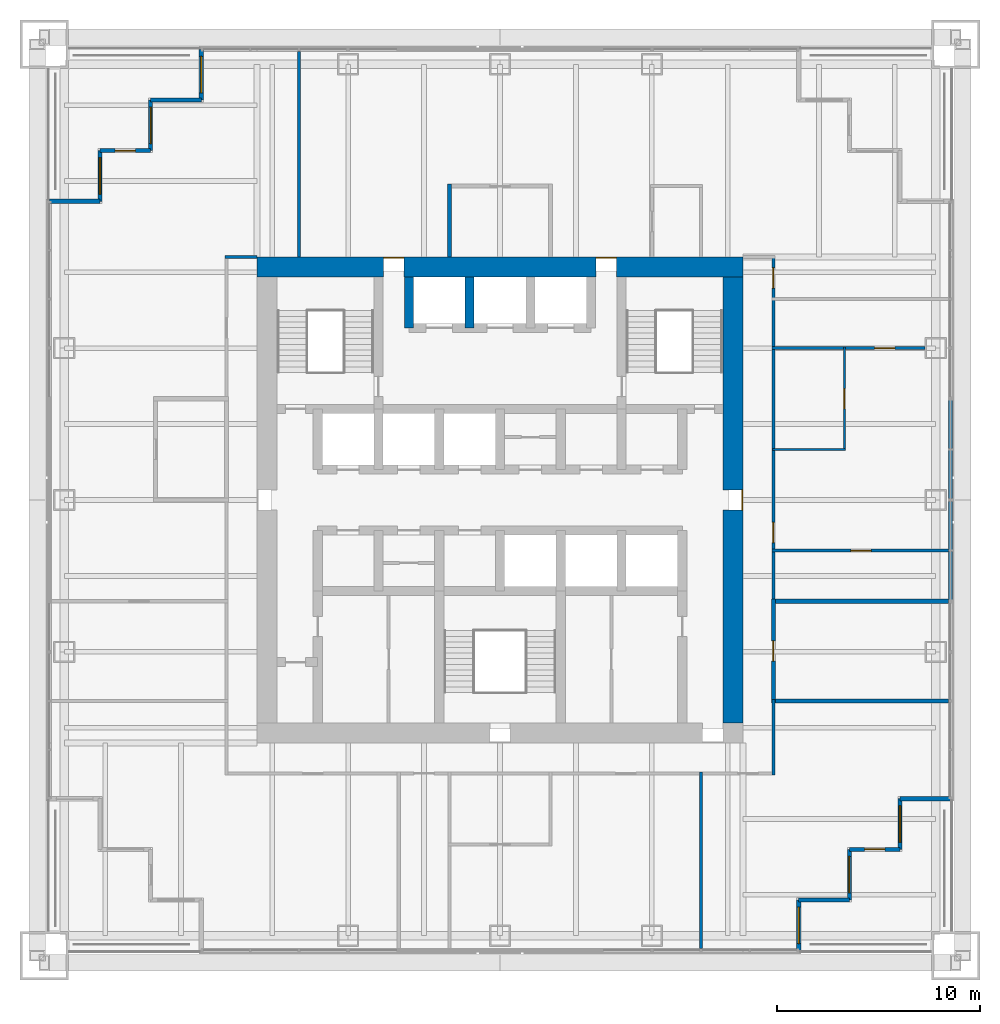
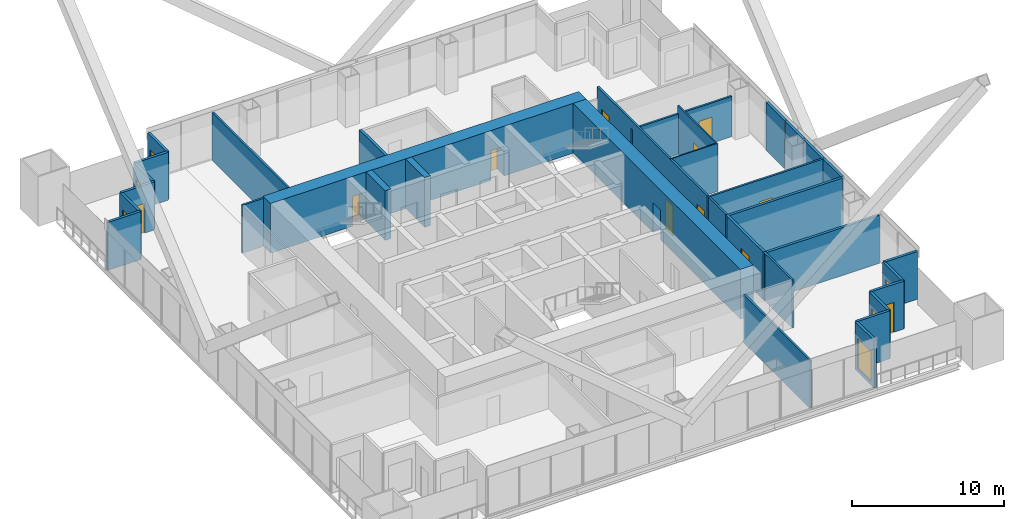
# One storey, part 16 of 19: 33 walls, 11 doors, 6 windows, 17 openings.
"""IFC4 building model written with IfcOpenShell, lengths in metres."""

from ifc_helpers import new_model, si_unit, direction, frame, frame_2d, origin, place, context, subcontext, project, spatial, rectangle, extrude, material, layer, layer_set, type_object, element, fill, save


model = new_model("IFC4")

# Units and contexts
model_context = context("Model", 3, precision=1e-05, world=origin(), true_north=direction((0.0, 1.0)))
body_context = subcontext(model_context, "Body", "Model", "MODEL_VIEW")
ifc_project = project(units=[si_unit("LENGTHUNIT", "METRE"), si_unit("AREAUNIT", "SQUARE_METRE"), si_unit("VOLUMEUNIT", "CUBIC_METRE"), si_unit("PLANEANGLEUNIT", "RADIAN"), si_unit("MASSUNIT", "GRAM", prefix="KILO")], contexts=[model_context])

# Site, building, storey
site_placement = place(None, origin())
site = spatial("IfcSite", under=ifc_project, at=site_placement, CompositionType="ELEMENT")
building_placement = place(site_placement, origin())
building = spatial("IfcBuilding", under=site, at=building_placement, Name="Tarangal Relay Tower", CompositionType="ELEMENT")
storey_placement = place(building_placement, frame((0.0, 0.0, 193.89990234375)))
storey = spatial("IfcBuildingStorey", under=building, at=storey_placement, Name="L40", CompositionType="ELEMENT", Elevation=193.89990234375)

# Walls
ifc_material_1 = material(Name="Two layers gypsum board each side on twin steel studs, mineral wool", Category="steel")
ifc_layer_1 = layer(ifc_material_1, 0.199951171875)
ifc_layer_set_1 = layer_set([ifc_layer_1], Name="Acoustic partition 200")
wall_type_1 = type_object("IfcWallType", Name="Acoustic partition 200", PredefinedType="PARTITIONING", material=ifc_layer_set_1)
for number, where, z_axis, x_axis, name in (
    (1, (13.39990234375, -9.9169921875, 0.0), (0.0, 0.0, 1.0), (1.0, 0.0, 0.0), "Partition PT2 L40"),
    (2, (13.39990234375, -5.0, 0.0), (0.0, 0.0, 1.0), (1.0, 0.0, 0.0), "Partition PT2 L40"),
):
    element("IfcWall", number, at=place(storey_placement, frame(where, z_axis=z_axis, x_axis=x_axis)), inside=storey, type_object=wall_type_1, Name=name, PredefinedType="PARTITIONING", context=body_context, shape_type="SweptSolid", body=[
        extrude(rectangle(XDim=8.75, YDim=0.199951171875, at=frame_2d((4.375, 0.0))), origin(), (0.0, 0.0, 1.0), 3.85009765625),
    ])
wall_1_placement = place(storey_placement, frame((-2.5, 12.0, 0.0), z_axis=(0.0, 0.0, 1.0), x_axis=(0.0, 1.0, 0.0)))
element("IfcWall", 3, at=wall_1_placement, inside=storey, type_object=wall_type_1, Name="Partition PT2 L40", PredefinedType="PARTITIONING", context=body_context, shape_type="SweptSolid", body=[
    extrude(rectangle(XDim=3.60009765625, YDim=0.199951171875, at=frame_2d((1.800048828125, 0.0))), origin(), (0.0, 0.0, 1.0), 3.85009765625),
])

# Wall, opening, door
wall_2_placement = place(storey_placement, frame((13.5, -10.01708984375, 0.0), z_axis=(0.0, 0.0, 1.0), x_axis=(0.0, 1.0, 0.0)))
wall_2 = element("IfcWall", 4, at=wall_2_placement, inside=storey, type_object=wall_type_1, Name="Partition PT2 L40", PredefinedType="PARTITIONING", context=body_context, shape_type="SweptSolid", body=[
    extrude(rectangle(XDim=5.1171875, YDim=0.199951171875, at=frame_2d((2.55859375, 0.0))), origin(), (0.0, 0.0, 1.0), 3.85009765625),
])
opening_1_placement = place(wall_2_placement, frame((2.05859375, 0.0, 0.0)))
opening_1 = element("IfcOpeningElement", 5, at=opening_1_placement, cuts=wall_2, Name="Opening SD1", PredefinedType="OPENING", context=body_context, shape_type="SweptSolid", body=[
    extrude(rectangle(XDim=1.0, YDim=2.39990234375, at=frame_2d((0.5, 1.199951171875))), frame((0.0, 0.10986328125, 0.0), z_axis=(0.0, -1.0, 0.0), x_axis=(1.0, 0.0, 0.0)), (0.0, 0.0, 1.0), 0.219970703125),
])
ifc_material_2 = material(Name="Steel door with hardwood frame", Category="steel")
door_type_1 = type_object("IfcDoorType", Name="Suite entrance door 1000 x 2400", OperationType="SINGLE_SWING_RIGHT", PredefinedType="DOOR", material=ifc_material_2)
door_1_placement = place(opening_1_placement, origin())
door_1 = element("IfcDoor", 6, at=door_1_placement, inside=storey, type_object=door_type_1, Name="Door SD1 to boardroom L40-08", OperationType="SINGLE_SWING_RIGHT", OverallHeight=2.39990234375, OverallWidth=1.0, PredefinedType="DOOR", context=body_context, shape_type="SweptSolid", body=[
    extrude(rectangle(XDim=1.0, YDim=2.39990234375, at=frame_2d((0.5, 1.199951171875))), frame((0.0, 0.02490234375, 0.0), z_axis=(0.0, -1.0, 0.0), x_axis=(1.0, 0.0, 0.0)), (0.0, 0.0, 1.0), 0.050048828125),
])
fill(opening_1, door_1)

# Walls
ifc_material_3 = material(Name="Concrete fc' 60 MPa", Category="concrete")
ifc_layer_2 = layer(ifc_material_3, 0.449951171875)
ifc_layer_set_2 = layer_set([ifc_layer_2], Name="Core inner wall 450")
wall_type_2 = type_object("IfcWallType", Name="Core inner wall 450", PredefinedType="SHEAR", material=ifc_layer_set_2)
for number, where, z_axis, x_axis, name in (
    (7, (-4.5, 8.5, 0.0), (0.0, 0.0, 1.0), (0.0, 1.0, 0.0), "Core wall XM45 L40"),
    (8, (-1.5, 8.5, 0.0), (0.0, 0.0, 1.0), (0.0, 1.0, 0.0), "Core wall XM15 L40"),
):
    element("IfcWall", number, at=place(storey_placement, frame(where, z_axis=z_axis, x_axis=x_axis)), inside=storey, type_object=wall_type_2, Name=name, PredefinedType="SHEAR", context=body_context, shape_type="SweptSolid", body=[
        extrude(rectangle(XDim=2.5, YDim=0.449951171875, at=frame_2d((1.25, 0.0))), origin(), (0.0, 0.0, 1.0), 4.0),
    ])

# Wall, openings, doors
ifc_layer_3 = layer(ifc_material_3, 1.0)
ifc_layer_set_3 = layer_set([ifc_layer_3], Name="Core wall 1000")
wall_type_3 = type_object("IfcWallType", Name="Core wall 1000", PredefinedType="SHEAR", material=ifc_layer_set_3)
wall_3_placement = place(storey_placement, frame((-12.0, 11.5, 0.0), z_axis=(0.0, 0.0, 1.0), x_axis=(1.0, 0.0, 0.0)))
wall_3 = element("IfcWall", 9, at=wall_3_placement, inside=storey, type_object=wall_type_3, Name="Core wall N L40", PredefinedType="SHEAR", context=body_context, shape_type="SweptSolid", body=[
    extrude(rectangle(XDim=24.0, YDim=1.0, at=frame_2d((12.0, 0.0))), origin(), (0.0, 0.0, 1.0), 4.0),
])
opening_2_placement = place(wall_3_placement, frame((6.25, 0.0, 0.0)))
opening_2 = element("IfcOpeningElement", 10, at=opening_2_placement, cuts=wall_3, Name="Opening FD3", PredefinedType="OPENING", context=body_context, shape_type="SweptSolid", body=[
    extrude(rectangle(XDim=1.0, YDim=2.39990234375, at=frame_2d((0.5, 1.199951171875))), frame((0.0, 0.510009765625, 0.0), z_axis=(0.0, -1.0, 0.0), x_axis=(1.0, 0.0, 0.0)), (0.0, 0.0, 1.0), 1.02001953125),
])
opening_3_placement = place(wall_3_placement, frame((16.75, 0.0, 0.0)))
opening_3 = element("IfcOpeningElement", 11, at=opening_3_placement, cuts=wall_3, Name="Opening FD3", PredefinedType="OPENING", context=body_context, shape_type="SweptSolid", body=[
    extrude(rectangle(XDim=1.0, YDim=2.39990234375, at=frame_2d((0.5, 1.199951171875))), frame((0.0, 0.510009765625, 0.0), z_axis=(0.0, -1.0, 0.0), x_axis=(1.0, 0.0, 0.0)), (0.0, 0.0, 1.0), 1.02001953125),
])
door_type_2 = type_object("IfcDoorType", Name="Fire door 1000 x 2400 core entry", OperationType="SINGLE_SWING_RIGHT", PredefinedType="DOOR", material=ifc_material_2)
door_2_placement = place(opening_2_placement, origin())
door_2 = element("IfcDoor", 12, at=door_2_placement, inside=storey, type_object=door_type_2, Name="Core entry door north west L40", OperationType="SINGLE_SWING_RIGHT", OverallHeight=2.39990234375, OverallWidth=1.0, PredefinedType="DOOR", context=body_context, shape_type="SweptSolid", body=[
    extrude(rectangle(XDim=1.0, YDim=2.39990234375, at=frame_2d((0.5, 1.199951171875))), frame((0.0, 0.48486328125, 0.0), z_axis=(0.0, -1.0, 0.0), x_axis=(1.0, 0.0, 0.0)), (0.0, 0.0, 1.0), 0.050048828125),
])
fill(opening_2, door_2)
door_3_placement = place(opening_3_placement, origin())
door_3 = element("IfcDoor", 13, at=door_3_placement, inside=storey, type_object=door_type_2, Name="Core entry door north east L40", OperationType="SINGLE_SWING_RIGHT", OverallHeight=2.39990234375, OverallWidth=1.0, PredefinedType="DOOR", context=body_context, shape_type="SweptSolid", body=[
    extrude(rectangle(XDim=1.0, YDim=2.39990234375, at=frame_2d((0.5, 1.199951171875))), frame((0.0, 0.48486328125, 0.0), z_axis=(0.0, -1.0, 0.0), x_axis=(1.0, 0.0, 0.0)), (0.0, 0.0, 1.0), 0.050048828125),
])
fill(opening_3, door_3)

# Wall, opening, door
wall_4_placement = place(storey_placement, frame((11.5, 11.0, 0.0), z_axis=(0.0, 0.0, 1.0), x_axis=(0.0, -1.0, 0.0)))
wall_4 = element("IfcWall", 14, at=wall_4_placement, inside=storey, type_object=wall_type_3, Name="Core wall E L40", PredefinedType="SHEAR", context=body_context, shape_type="SweptSolid", body=[
    extrude(rectangle(XDim=22.0, YDim=1.0, at=frame_2d((11.0, 0.0))), origin(), (0.0, 0.0, 1.0), 4.0),
])
opening_4_placement = place(wall_4_placement, frame((10.5, 0.0, 0.0)))
opening_4 = element("IfcOpeningElement", 15, at=opening_4_placement, cuts=wall_4, Name="Opening FD3", PredefinedType="OPENING", context=body_context, shape_type="SweptSolid", body=[
    extrude(rectangle(XDim=1.0, YDim=2.39990234375, at=frame_2d((0.5, 1.199951171875))), frame((0.0, 0.510009765625, 0.0), z_axis=(0.0, -1.0, 0.0), x_axis=(1.0, 0.0, 0.0)), (0.0, 0.0, 1.0), 1.02001953125),
])
door_4_placement = place(opening_4_placement, origin())
door_4 = element("IfcDoor", 16, at=door_4_placement, inside=storey, type_object=door_type_2, Name="Core entry door east L40", OperationType="SINGLE_SWING_RIGHT", OverallHeight=2.39990234375, OverallWidth=1.0, PredefinedType="DOOR", context=body_context, shape_type="SweptSolid", body=[
    extrude(rectangle(XDim=1.0, YDim=2.39990234375, at=frame_2d((0.5, 1.199951171875))), frame((0.0, 0.48486328125, 0.0), z_axis=(0.0, -1.0, 0.0), x_axis=(1.0, 0.0, 0.0)), (0.0, 0.0, 1.0), 0.050048828125),
])
fill(opening_4, door_4)

# Wall
ifc_material_4 = material(Name="Black metal clad insulated wall", Category="steel")
ifc_layer_4 = layer(ifc_material_4, 0.199951171875)
ifc_layer_set_4 = layer_set([ifc_layer_4], Name="Corner wall metal clad 200")
wall_type_4 = type_object("IfcWallType", Name="Corner wall metal clad 200", PredefinedType="SOLIDWALL", material=ifc_layer_set_4)
wall_5_placement = place(storey_placement, frame((22.25, -14.75, 0.0), z_axis=(0.0, 0.0, 1.0), x_axis=(-1.0, 0.0, 0.0)))
element("IfcWall", 17, at=wall_5_placement, inside=storey, type_object=wall_type_4, Name="Facade wall E facade L40", PredefinedType="SOLIDWALL", context=body_context, shape_type="SweptSolid", body=[
    extrude(rectangle(XDim=2.5, YDim=0.199951171875, at=frame_2d((1.25, 0.0))), origin(), (0.0, 0.0, 1.0), 3.85009765625),
])

# Wall, opening, window
wall_6_placement = place(storey_placement, frame((19.75, -14.75, 0.0), z_axis=(0.0, 0.0, 1.0), x_axis=(0.0, -1.0, 0.0)))
wall_6 = element("IfcWall", 18, at=wall_6_placement, inside=storey, type_object=wall_type_4, Name="Facade wall E facade L40", PredefinedType="SOLIDWALL", context=body_context, shape_type="SweptSolid", body=[
    extrude(rectangle(XDim=2.5, YDim=0.199951171875, at=frame_2d((1.25, 0.0))), origin(), (0.0, 0.0, 1.0), 3.85009765625),
])
opening_5_placement = place(wall_6_placement, frame((0.35009765625, 0.0, 0.300048828125)))
opening_5 = element("IfcOpeningElement", 19, at=opening_5_placement, cuts=wall_6, Name="Opening WN2", PredefinedType="OPENING", context=body_context, shape_type="SweptSolid", body=[
    extrude(rectangle(XDim=1.800048828125, YDim=2.39990234375, at=frame_2d((0.89990234375, 1.199951171875))), frame((0.0, 0.10986328125, 0.0), z_axis=(0.0, -1.0, 0.0), x_axis=(1.0, 0.0, 0.0)), (0.0, 0.0, 1.0), 0.219970703125),
])
ifc_material_5 = material(Name="Dark tinted double glazing in black aluminium frame", Category="aluminium")
window_type = type_object("IfcWindowType", Name="Corner window 1800 x 2400", PartitioningType="SINGLE_PANEL", PredefinedType="WINDOW", material=ifc_material_5)
window_1_placement = place(opening_5_placement, origin())
window_1 = element("IfcWindow", 20, at=window_1_placement, inside=storey, type_object=window_type, Name="Corner window WN2 E facade L40", OverallHeight=2.39990234375, OverallWidth=1.800048828125, PartitioningType="SINGLE_PANEL", PredefinedType="WINDOW", context=body_context, shape_type="SweptSolid", body=[
    extrude(rectangle(XDim=1.800048828125, YDim=2.39990234375, at=frame_2d((0.89990234375, 1.199951171875))), frame((0.0, 0.030029296875, 0.0), z_axis=(0.0, -1.0, 0.0), x_axis=(1.0, 0.0, 0.0)), (0.0, 0.0, 1.0), 0.06005859375),
])
fill(opening_5, window_1)

# Wall, opening, door
wall_7_placement = place(storey_placement, frame((19.75, -17.25, 0.0), z_axis=(0.0, 0.0, 1.0), x_axis=(-1.0, 0.0, 0.0)))
wall_7 = element("IfcWall", 21, at=wall_7_placement, inside=storey, type_object=wall_type_4, Name="Facade wall E facade L40", PredefinedType="SOLIDWALL", context=body_context, shape_type="SweptSolid", body=[
    extrude(rectangle(XDim=2.5, YDim=0.199951171875, at=frame_2d((1.25, 0.0))), origin(), (0.0, 0.0, 1.0), 3.85009765625),
])
opening_6_placement = place(wall_7_placement, frame((0.75, 0.0, 0.0)))
opening_6 = element("IfcOpeningElement", 22, at=opening_6_placement, cuts=wall_7, Name="Opening TD1", PredefinedType="OPENING", context=body_context, shape_type="SweptSolid", body=[
    extrude(rectangle(XDim=1.0, YDim=2.39990234375, at=frame_2d((0.5, 1.199951171875))), frame((0.0, 0.10986328125, 0.0), z_axis=(0.0, -1.0, 0.0), x_axis=(1.0, 0.0, 0.0)), (0.0, 0.0, 1.0), 0.219970703125),
])
ifc_material_6 = material(Name="Aluminium glazed door", Category="aluminium")
door_type_3 = type_object("IfcDoorType", Name="Terrace door 1000 x 2400", OperationType="SINGLE_SWING_RIGHT", PredefinedType="DOOR", material=ifc_material_6)
door_5_placement = place(opening_6_placement, origin())
door_5 = element("IfcDoor", 23, at=door_5_placement, inside=storey, type_object=door_type_3, Name="Terrace door TD1 SE L40", OperationType="SINGLE_SWING_RIGHT", OverallHeight=2.39990234375, OverallWidth=1.0, PredefinedType="DOOR", context=body_context, shape_type="SweptSolid", body=[
    extrude(rectangle(XDim=1.0, YDim=2.39990234375, at=frame_2d((0.5, 1.199951171875))), frame((0.0, 0.02490234375, 0.0), z_axis=(0.0, -1.0, 0.0), x_axis=(1.0, 0.0, 0.0)), (0.0, 0.0, 1.0), 0.050048828125),
])
fill(opening_6, door_5)

# Wall, opening, window
wall_8_placement = place(storey_placement, frame((17.25, -17.25, 0.0), z_axis=(0.0, 0.0, 1.0), x_axis=(0.0, -1.0, 0.0)))
wall_8 = element("IfcWall", 24, at=wall_8_placement, inside=storey, type_object=wall_type_4, Name="Facade wall E facade L40", PredefinedType="SOLIDWALL", context=body_context, shape_type="SweptSolid", body=[
    extrude(rectangle(XDim=2.5, YDim=0.199951171875, at=frame_2d((1.25, 0.0))), origin(), (0.0, 0.0, 1.0), 3.85009765625),
])
opening_7_placement = place(wall_8_placement, frame((0.35009765625, 0.0, 0.300048828125)))
opening_7 = element("IfcOpeningElement", 25, at=opening_7_placement, cuts=wall_8, Name="Opening WN2", PredefinedType="OPENING", context=body_context, shape_type="SweptSolid", body=[
    extrude(rectangle(XDim=1.800048828125, YDim=2.39990234375, at=frame_2d((0.89990234375, 1.199951171875))), frame((0.0, 0.10986328125, 0.0), z_axis=(0.0, -1.0, 0.0), x_axis=(1.0, 0.0, 0.0)), (0.0, 0.0, 1.0), 0.219970703125),
])
window_2_placement = place(opening_7_placement, origin())
window_2 = element("IfcWindow", 26, at=window_2_placement, inside=storey, type_object=window_type, Name="Corner window WN2 E facade L40", OverallHeight=2.39990234375, OverallWidth=1.800048828125, PartitioningType="SINGLE_PANEL", PredefinedType="WINDOW", context=body_context, shape_type="SweptSolid", body=[
    extrude(rectangle(XDim=1.800048828125, YDim=2.39990234375, at=frame_2d((0.89990234375, 1.199951171875))), frame((0.0, 0.030029296875, 0.0), z_axis=(0.0, -1.0, 0.0), x_axis=(1.0, 0.0, 0.0)), (0.0, 0.0, 1.0), 0.06005859375),
])
fill(opening_7, window_2)

# Wall
wall_9_placement = place(storey_placement, frame((17.25, -19.75, 0.0), z_axis=(0.0, 0.0, 1.0), x_axis=(-1.0, 0.0, 0.0)))
element("IfcWall", 27, at=wall_9_placement, inside=storey, type_object=wall_type_4, Name="Facade wall E facade L40", PredefinedType="SOLIDWALL", context=body_context, shape_type="SweptSolid", body=[
    extrude(rectangle(XDim=2.5, YDim=0.199951171875, at=frame_2d((1.25, 0.0))), origin(), (0.0, 0.0, 1.0), 3.85009765625),
])

# Wall, opening, window
wall_10_placement = place(storey_placement, frame((14.75, -19.75, 0.0), z_axis=(0.0, 0.0, 1.0), x_axis=(0.0, -1.0, 0.0)))
wall_10 = element("IfcWall", 28, at=wall_10_placement, inside=storey, type_object=wall_type_4, Name="Facade wall E facade L40", PredefinedType="SOLIDWALL", context=body_context, shape_type="SweptSolid", body=[
    extrude(rectangle(XDim=2.5, YDim=0.199951171875, at=frame_2d((1.25, 0.0))), origin(), (0.0, 0.0, 1.0), 3.85009765625),
])
opening_8_placement = place(wall_10_placement, frame((0.35009765625, 0.0, 0.300048828125)))
opening_8 = element("IfcOpeningElement", 29, at=opening_8_placement, cuts=wall_10, Name="Opening WN2", PredefinedType="OPENING", context=body_context, shape_type="SweptSolid", body=[
    extrude(rectangle(XDim=1.800048828125, YDim=2.39990234375, at=frame_2d((0.89990234375, 1.199951171875))), frame((0.0, 0.10986328125, 0.0), z_axis=(0.0, -1.0, 0.0), x_axis=(1.0, 0.0, 0.0)), (0.0, 0.0, 1.0), 0.219970703125),
])
window_3_placement = place(opening_8_placement, origin())
window_3 = element("IfcWindow", 30, at=window_3_placement, inside=storey, type_object=window_type, Name="Corner window WN2 E facade L40", OverallHeight=2.39990234375, OverallWidth=1.800048828125, PartitioningType="SINGLE_PANEL", PredefinedType="WINDOW", context=body_context, shape_type="SweptSolid", body=[
    extrude(rectangle(XDim=1.800048828125, YDim=2.39990234375, at=frame_2d((0.89990234375, 1.199951171875))), frame((0.0, 0.030029296875, 0.0), z_axis=(0.0, -1.0, 0.0), x_axis=(1.0, 0.0, 0.0)), (0.0, 0.0, 1.0), 0.06005859375),
])
fill(opening_8, window_3)

# Wall
wall_11_placement = place(storey_placement, frame((-22.25, 14.75, 0.0), z_axis=(0.0, 0.0, 1.0), x_axis=(1.0, 0.0, 0.0)))
element("IfcWall", 31, at=wall_11_placement, inside=storey, type_object=wall_type_4, Name="Facade wall W facade L40", PredefinedType="SOLIDWALL", context=body_context, shape_type="SweptSolid", body=[
    extrude(rectangle(XDim=2.5, YDim=0.199951171875, at=frame_2d((1.25, 0.0))), origin(), (0.0, 0.0, 1.0), 3.85009765625),
])

# Wall, opening, window
wall_12_placement = place(storey_placement, frame((-19.75, 14.75, 0.0), z_axis=(0.0, 0.0, 1.0), x_axis=(0.0, 1.0, 0.0)))
wall_12 = element("IfcWall", 32, at=wall_12_placement, inside=storey, type_object=wall_type_4, Name="Facade wall W facade L40", PredefinedType="SOLIDWALL", context=body_context, shape_type="SweptSolid", body=[
    extrude(rectangle(XDim=2.5, YDim=0.199951171875, at=frame_2d((1.25, 0.0))), origin(), (0.0, 0.0, 1.0), 3.85009765625),
])
opening_9_placement = place(wall_12_placement, frame((0.35009765625, 0.0, 0.300048828125)))
opening_9 = element("IfcOpeningElement", 33, at=opening_9_placement, cuts=wall_12, Name="Opening WN2", PredefinedType="OPENING", context=body_context, shape_type="SweptSolid", body=[
    extrude(rectangle(XDim=1.800048828125, YDim=2.39990234375, at=frame_2d((0.89990234375, 1.199951171875))), frame((0.0, 0.10986328125, 0.0), z_axis=(0.0, -1.0, 0.0), x_axis=(1.0, 0.0, 0.0)), (0.0, 0.0, 1.0), 0.219970703125),
])
window_4_placement = place(opening_9_placement, origin())
window_4 = element("IfcWindow", 34, at=window_4_placement, inside=storey, type_object=window_type, Name="Corner window WN2 W facade L40", OverallHeight=2.39990234375, OverallWidth=1.800048828125, PartitioningType="SINGLE_PANEL", PredefinedType="WINDOW", context=body_context, shape_type="SweptSolid", body=[
    extrude(rectangle(XDim=1.800048828125, YDim=2.39990234375, at=frame_2d((0.89990234375, 1.199951171875))), frame((0.0, 0.030029296875, 0.0), z_axis=(0.0, -1.0, 0.0), x_axis=(1.0, 0.0, 0.0)), (0.0, 0.0, 1.0), 0.06005859375),
])
fill(opening_9, window_4)

# Wall, opening, door
wall_13_placement = place(storey_placement, frame((-19.75, 17.25, 0.0), z_axis=(0.0, 0.0, 1.0), x_axis=(1.0, 0.0, 0.0)))
wall_13 = element("IfcWall", 35, at=wall_13_placement, inside=storey, type_object=wall_type_4, Name="Facade wall W facade L40", PredefinedType="SOLIDWALL", context=body_context, shape_type="SweptSolid", body=[
    extrude(rectangle(XDim=2.5, YDim=0.199951171875, at=frame_2d((1.25, 0.0))), origin(), (0.0, 0.0, 1.0), 3.85009765625),
])
opening_10_placement = place(wall_13_placement, frame((0.75, 0.0, 0.0)))
opening_10 = element("IfcOpeningElement", 36, at=opening_10_placement, cuts=wall_13, Name="Opening TD1", PredefinedType="OPENING", context=body_context, shape_type="SweptSolid", body=[
    extrude(rectangle(XDim=1.0, YDim=2.39990234375, at=frame_2d((0.5, 1.199951171875))), frame((0.0, 0.10986328125, 0.0), z_axis=(0.0, -1.0, 0.0), x_axis=(1.0, 0.0, 0.0)), (0.0, 0.0, 1.0), 0.219970703125),
])
door_6_placement = place(opening_10_placement, origin())
door_6 = element("IfcDoor", 37, at=door_6_placement, inside=storey, type_object=door_type_3, Name="Terrace door TD1 NW L40", OperationType="SINGLE_SWING_RIGHT", OverallHeight=2.39990234375, OverallWidth=1.0, PredefinedType="DOOR", context=body_context, shape_type="SweptSolid", body=[
    extrude(rectangle(XDim=1.0, YDim=2.39990234375, at=frame_2d((0.5, 1.199951171875))), frame((0.0, 0.02490234375, 0.0), z_axis=(0.0, -1.0, 0.0), x_axis=(1.0, 0.0, 0.0)), (0.0, 0.0, 1.0), 0.050048828125),
])
fill(opening_10, door_6)

# Wall, opening, window
wall_14_placement = place(storey_placement, frame((-17.25, 17.25, 0.0), z_axis=(0.0, 0.0, 1.0), x_axis=(0.0, 1.0, 0.0)))
wall_14 = element("IfcWall", 38, at=wall_14_placement, inside=storey, type_object=wall_type_4, Name="Facade wall W facade L40", PredefinedType="SOLIDWALL", context=body_context, shape_type="SweptSolid", body=[
    extrude(rectangle(XDim=2.5, YDim=0.199951171875, at=frame_2d((1.25, 0.0))), origin(), (0.0, 0.0, 1.0), 3.85009765625),
])
opening_11_placement = place(wall_14_placement, frame((0.35009765625, 0.0, 0.300048828125)))
opening_11 = element("IfcOpeningElement", 39, at=opening_11_placement, cuts=wall_14, Name="Opening WN2", PredefinedType="OPENING", context=body_context, shape_type="SweptSolid", body=[
    extrude(rectangle(XDim=1.800048828125, YDim=2.39990234375, at=frame_2d((0.89990234375, 1.199951171875))), frame((0.0, 0.10986328125, 0.0), z_axis=(0.0, -1.0, 0.0), x_axis=(1.0, 0.0, 0.0)), (0.0, 0.0, 1.0), 0.219970703125),
])
window_5_placement = place(opening_11_placement, origin())
window_5 = element("IfcWindow", 40, at=window_5_placement, inside=storey, type_object=window_type, Name="Corner window WN2 W facade L40", OverallHeight=2.39990234375, OverallWidth=1.800048828125, PartitioningType="SINGLE_PANEL", PredefinedType="WINDOW", context=body_context, shape_type="SweptSolid", body=[
    extrude(rectangle(XDim=1.800048828125, YDim=2.39990234375, at=frame_2d((0.89990234375, 1.199951171875))), frame((0.0, 0.030029296875, 0.0), z_axis=(0.0, -1.0, 0.0), x_axis=(1.0, 0.0, 0.0)), (0.0, 0.0, 1.0), 0.06005859375),
])
fill(opening_11, window_5)

# Wall
wall_15_placement = place(storey_placement, frame((-17.25, 19.75, 0.0), z_axis=(0.0, 0.0, 1.0), x_axis=(1.0, 0.0, 0.0)))
element("IfcWall", 41, at=wall_15_placement, inside=storey, type_object=wall_type_4, Name="Facade wall W facade L40", PredefinedType="SOLIDWALL", context=body_context, shape_type="SweptSolid", body=[
    extrude(rectangle(XDim=2.5, YDim=0.199951171875, at=frame_2d((1.25, 0.0))), origin(), (0.0, 0.0, 1.0), 3.85009765625),
])

# Wall, opening, window
wall_16_placement = place(storey_placement, frame((-14.75, 19.75, 0.0), z_axis=(0.0, 0.0, 1.0), x_axis=(0.0, 1.0, 0.0)))
wall_16 = element("IfcWall", 42, at=wall_16_placement, inside=storey, type_object=wall_type_4, Name="Facade wall W facade L40", PredefinedType="SOLIDWALL", context=body_context, shape_type="SweptSolid", body=[
    extrude(rectangle(XDim=2.5, YDim=0.199951171875, at=frame_2d((1.25, 0.0))), origin(), (0.0, 0.0, 1.0), 3.85009765625),
])
opening_12_placement = place(wall_16_placement, frame((0.35009765625, 0.0, 0.300048828125)))
opening_12 = element("IfcOpeningElement", 43, at=opening_12_placement, cuts=wall_16, Name="Opening WN2", PredefinedType="OPENING", context=body_context, shape_type="SweptSolid", body=[
    extrude(rectangle(XDim=1.800048828125, YDim=2.39990234375, at=frame_2d((0.89990234375, 1.199951171875))), frame((0.0, 0.10986328125, 0.0), z_axis=(0.0, -1.0, 0.0), x_axis=(1.0, 0.0, 0.0)), (0.0, 0.0, 1.0), 0.219970703125),
])
window_6_placement = place(opening_12_placement, origin())
window_6 = element("IfcWindow", 44, at=window_6_placement, inside=storey, type_object=window_type, Name="Corner window WN2 W facade L40", OverallHeight=2.39990234375, OverallWidth=1.800048828125, PartitioningType="SINGLE_PANEL", PredefinedType="WINDOW", context=body_context, shape_type="SweptSolid", body=[
    extrude(rectangle(XDim=1.800048828125, YDim=2.39990234375, at=frame_2d((0.89990234375, 1.199951171875))), frame((0.0, 0.030029296875, 0.0), z_axis=(0.0, -1.0, 0.0), x_axis=(1.0, 0.0, 0.0)), (0.0, 0.0, 1.0), 0.06005859375),
])
fill(opening_12, window_6)

# Walls
ifc_layer_5 = layer(ifc_material_4, 0.199951171875)
ifc_layer_set_5 = layer_set([ifc_layer_5], Name="Facade infill wall metal clad 200")
wall_type_5 = type_object("IfcWallType", Name="Facade infill wall metal clad 200", PredefinedType="SOLIDWALL", material=ifc_layer_set_5)
for number, where, z_axis, x_axis, name in (
    (45, (22.25, 4.93505859375, 0.0), (0.0, 0.0, 1.0), (0.0, -1.0, 0.0), "Facade infill wall E facade L40 1.1"),
    (46, (22.25, 2.467529296875, 0.0), (0.0, 0.0, 1.0), (0.0, -1.0, 0.0), "Facade infill wall E facade L40 2.1"),
    (47, (22.25, -0.06494140625, 0.0), (0.0, 0.0, 1.0), (0.0, -1.0, 0.0), "Facade infill wall E facade L40 1.1"),
    (48, (22.25, -2.532470703125, 0.0), (0.0, 0.0, 1.0), (0.0, -1.0, 0.0), "Facade infill wall E facade L40 2.1"),
):
    element("IfcWall", number, at=place(storey_placement, frame(where, z_axis=z_axis, x_axis=x_axis)), inside=storey, type_object=wall_type_5, Name=name, PredefinedType="SOLIDWALL", context=body_context, shape_type="SweptSolid", body=[
        extrude(rectangle(XDim=2.402587890625, YDim=0.199951171875, at=frame_2d((1.201171875, 0.0))), origin(), (0.0, 0.0, 1.0), 3.85009765625),
    ])
ifc_material_7 = material(Name="Double glazed aluminium framed partition", Category="aluminium")
ifc_layer_6 = layer(ifc_material_7, 0.10009765625)
ifc_layer_set_6 = layer_set([ifc_layer_6], Name="Glazed partition 100")
wall_type_6 = type_object("IfcWallType", Name="Glazed partition 100", PredefinedType="PARTITIONING", material=ifc_layer_set_6)
wall_17_placement = place(storey_placement, frame((13.449951171875, 2.5, 0.0), z_axis=(0.0, 0.0, 1.0), x_axis=(1.0, 0.0, 0.0)))
element("IfcWall", 49, at=wall_17_placement, inside=storey, type_object=wall_type_6, Name="Partition PT3 L40", PredefinedType="PARTITIONING", context=body_context, shape_type="SweptSolid", body=[
    extrude(rectangle(XDim=3.60009765625, YDim=0.10009765625, at=frame_2d((1.800048828125, 0.0))), origin(), (0.0, 0.0, 1.0), 3.85009765625),
])

# Wall, opening, door
wall_18_placement = place(storey_placement, frame((17.0, 2.449951171875, 0.0), z_axis=(0.0, 0.0, 1.0), x_axis=(0.0, 1.0, 0.0)))
wall_18 = element("IfcWall", 50, at=wall_18_placement, inside=storey, type_object=wall_type_6, Name="Partition PT3 L40", PredefinedType="PARTITIONING", context=body_context, shape_type="SweptSolid", body=[
    extrude(rectangle(XDim=5.10009765625, YDim=0.10009765625, at=frame_2d((2.550048828125, 0.0))), origin(), (0.0, 0.0, 1.0), 3.85009765625),
])
opening_13_placement = place(wall_18_placement, frame((2.050048828125, 0.0, 0.0)))
opening_13 = element("IfcOpeningElement", 51, at=opening_13_placement, cuts=wall_18, Name="Opening D3", PredefinedType="OPENING", context=body_context, shape_type="SweptSolid", body=[
    extrude(rectangle(XDim=1.0, YDim=2.10009765625, at=frame_2d((0.5, 1.050048828125))), frame((0.0, 0.06005859375, 0.0), z_axis=(0.0, -1.0, 0.0), x_axis=(1.0, 0.0, 0.0)), (0.0, 0.0, 1.0), 0.1201171875),
])
ifc_material_8 = material(Name="Frameless glass door", Category="glass")
door_type_4 = type_object("IfcDoorType", Name="Glazed door 1000 x 2100", OperationType="SINGLE_SWING_LEFT", PredefinedType="DOOR", material=ifc_material_8)
door_7_placement = place(opening_13_placement, origin())
door_7 = element("IfcDoor", 52, at=door_7_placement, inside=storey, type_object=door_type_4, Name="Door D3 to meeting room L40-05", OperationType="SINGLE_SWING_LEFT", OverallHeight=2.10009765625, OverallWidth=1.0, PredefinedType="DOOR", context=body_context, shape_type="SweptSolid", body=[
    extrude(rectangle(XDim=1.0, YDim=2.10009765625, at=frame_2d((0.5, 1.050048828125))), frame((0.0, 0.02490234375, 0.0), z_axis=(0.0, -1.0, 0.0), x_axis=(1.0, 0.0, 0.0)), (0.0, 0.0, 1.0), 0.050048828125),
])
fill(opening_13, door_7)

ifc_material_9 = material(Name="Gypsum board on steel studs", Category="steel")
ifc_layer_7 = layer(ifc_material_9, 0.14990234375)
ifc_layer_set_7 = layer_set([ifc_layer_7], Name="Partition 150")
wall_type_7 = type_object("IfcWallType", Name="Partition 150", PredefinedType="PARTITIONING", material=ifc_layer_set_7)
wall_19_placement = place(storey_placement, frame((13.425048828125, -2.5, 0.0), z_axis=(0.0, 0.0, 1.0), x_axis=(1.0, 0.0, 0.0)))
wall_19 = element("IfcWall", 53, at=wall_19_placement, inside=storey, type_object=wall_type_7, Name="Partition PT1 L40", PredefinedType="PARTITIONING", context=body_context, shape_type="SweptSolid", body=[
    extrude(rectangle(XDim=8.724853515625, YDim=0.14990234375, at=frame_2d((4.3623046875, 0.0))), origin(), (0.0, 0.0, 1.0), 3.85009765625),
])
opening_14_placement = place(wall_19_placement, frame((3.89990234375, 0.0, 0.0)))
opening_14 = element("IfcOpeningElement", 54, at=opening_14_placement, cuts=wall_19, Name="Opening D2", PredefinedType="OPENING", context=body_context, shape_type="SweptSolid", body=[
    extrude(rectangle(XDim=1.0, YDim=2.10009765625, at=frame_2d((0.5, 1.050048828125))), frame((0.0, 0.0849609375, 0.0), z_axis=(0.0, -1.0, 0.0), x_axis=(1.0, 0.0, 0.0)), (0.0, 0.0, 1.0), 0.169921875),
])
ifc_material_10 = material(Name="Hardwood door", Category="wood")
door_type_5 = type_object("IfcDoorType", Name="Door 1000 x 2100", OperationType="SINGLE_SWING_LEFT", PredefinedType="DOOR", material=ifc_material_10)
door_8_placement = place(opening_14_placement, origin())
door_8 = element("IfcDoor", 55, at=door_8_placement, inside=storey, type_object=door_type_5, Name="Door D2 to cellular office L40-07", OperationType="SINGLE_SWING_LEFT", OverallHeight=2.10009765625, OverallWidth=1.0, PredefinedType="DOOR", context=body_context, shape_type="SweptSolid", body=[
    extrude(rectangle(XDim=1.0, YDim=2.10009765625, at=frame_2d((0.5, 1.050048828125))), frame((0.0, 0.02490234375, 0.0), z_axis=(0.0, -1.0, 0.0), x_axis=(1.0, 0.0, 0.0)), (0.0, 0.0, 1.0), 0.050048828125),
])
fill(opening_14, door_8)

wall_20_placement = place(storey_placement, frame((13.425048828125, 7.5, 0.0), z_axis=(0.0, 0.0, 1.0), x_axis=(1.0, 0.0, 0.0)))
wall_20 = element("IfcWall", 56, at=wall_20_placement, inside=storey, type_object=wall_type_7, Name="Partition PT1 L40", PredefinedType="PARTITIONING", context=body_context, shape_type="SweptSolid", body=[
    extrude(rectangle(XDim=7.56494140625, YDim=0.14990234375, at=frame_2d((3.782470703125, 0.0))), origin(), (0.0, 0.0, 1.0), 3.238037109375),
])
opening_15_placement = place(wall_20_placement, frame((5.070068359375, 0.0, 0.0)))
opening_15 = element("IfcOpeningElement", 57, at=opening_15_placement, cuts=wall_20, Name="Opening D2", PredefinedType="OPENING", context=body_context, shape_type="SweptSolid", body=[
    extrude(rectangle(XDim=1.0, YDim=2.10009765625, at=frame_2d((0.5, 1.050048828125))), frame((0.0, 0.0849609375, 0.0), z_axis=(0.0, -1.0, 0.0), x_axis=(1.0, 0.0, 0.0)), (0.0, 0.0, 1.0), 0.169921875),
])
door_9_placement = place(opening_15_placement, origin())
door_9 = element("IfcDoor", 58, at=door_9_placement, inside=storey, type_object=door_type_5, Name="Door D2 to cellular office L40-04", OperationType="SINGLE_SWING_LEFT", OverallHeight=2.10009765625, OverallWidth=1.0, PredefinedType="DOOR", context=body_context, shape_type="SweptSolid", body=[
    extrude(rectangle(XDim=1.0, YDim=2.10009765625, at=frame_2d((0.5, 1.050048828125))), frame((0.0, 0.02490234375, 0.0), z_axis=(0.0, -1.0, 0.0), x_axis=(1.0, 0.0, 0.0)), (0.0, 0.0, 1.0), 0.050048828125),
])
fill(opening_15, door_9)

# Walls
wall_21_placement = place(storey_placement, frame((-13.574951171875, 12.0, 0.0), z_axis=(0.0, 0.0, 1.0), x_axis=(1.0, 0.0, 0.0)))
element("IfcWall", 59, at=wall_21_placement, inside=storey, type_object=wall_type_7, Name="Partition PT1 L40", PredefinedType="PARTITIONING", context=body_context, shape_type="SweptSolid", body=[
    extrude(rectangle(XDim=1.574951171875, YDim=0.14990234375, at=frame_2d((0.78759765625, 0.0))), origin(), (0.0, 0.0, 1.0), 3.85009765625),
])
wall_22_placement = place(storey_placement, frame((-9.9169921875, 12.0, 0.0), z_axis=(0.0, 0.0, 1.0), x_axis=(0.0, 1.0, 0.0)))
element("IfcWall", 60, at=wall_22_placement, inside=storey, type_object=wall_type_7, Name="Partition PT1 L40", PredefinedType="PARTITIONING", context=body_context, shape_type="SweptSolid", body=[
    extrude(rectangle(XDim=10.14990234375, YDim=0.14990234375, at=frame_2d((5.074951171875, 0.0))), origin(), (0.0, 0.0, 1.0), 3.85009765625),
])
wall_23_placement = place(storey_placement, frame((9.9169921875, -22.14990234375, 0.0), z_axis=(0.0, 0.0, 1.0), x_axis=(0.0, 1.0, 0.0)))
element("IfcWall", 61, at=wall_23_placement, inside=storey, type_object=wall_type_7, Name="Partition PT1 L40", PredefinedType="PARTITIONING", context=body_context, shape_type="SweptSolid", body=[
    extrude(rectangle(XDim=8.724853515625, YDim=0.14990234375, at=frame_2d((4.3623046875, 0.0))), origin(), (0.0, 0.0, 1.0), 3.85009765625),
])
wall_24_placement = place(storey_placement, frame((13.5, -13.574951171875, 0.0), z_axis=(0.0, 0.0, 1.0), x_axis=(0.0, 1.0, 0.0)))
element("IfcWall", 62, at=wall_24_placement, inside=storey, type_object=wall_type_7, Name="Partition PT1 L40", PredefinedType="PARTITIONING", context=body_context, shape_type="SweptSolid", body=[
    extrude(rectangle(XDim=3.73291015625, YDim=0.14990234375, at=frame_2d((1.866455078125, 0.0))), origin(), (0.0, 0.0, 1.0), 3.85009765625),
])

# Wall, openings, doors
wall_25_placement = place(storey_placement, frame((13.5, -5.074951171875, 0.0), z_axis=(0.0, 0.0, 1.0), x_axis=(0.0, 1.0, 0.0)))
wall_25 = element("IfcWall", 63, at=wall_25_placement, inside=storey, type_object=wall_type_7, Name="Partition PT1 L40", PredefinedType="PARTITIONING", context=body_context, shape_type="SweptSolid", body=[
    extrude(rectangle(XDim=17.14990234375, YDim=0.14990234375, at=frame_2d((8.574951171875, 0.0))), origin(), (0.0, 0.0, 1.0), 3.85009765625),
])
opening_16_placement = place(wall_25_placement, frame((2.97509765625, 0.0, 0.0)))
opening_16 = element("IfcOpeningElement", 64, at=opening_16_placement, cuts=wall_25, Name="Opening SD1", PredefinedType="OPENING", context=body_context, shape_type="SweptSolid", body=[
    extrude(rectangle(XDim=1.0, YDim=2.39990234375, at=frame_2d((0.5, 1.199951171875))), frame((0.0, 0.0849609375, 0.0), z_axis=(0.0, -1.0, 0.0), x_axis=(1.0, 0.0, 0.0)), (0.0, 0.0, 1.0), 0.169921875),
])
opening_17_placement = place(wall_25_placement, frame((15.533447265625, 0.0, 0.0)))
opening_17 = element("IfcOpeningElement", 65, at=opening_17_placement, cuts=wall_25, Name="Opening SD1", PredefinedType="OPENING", context=body_context, shape_type="SweptSolid", body=[
    extrude(rectangle(XDim=1.0, YDim=2.39990234375, at=frame_2d((0.5, 1.199951171875))), frame((0.0, 0.0849609375, 0.0), z_axis=(0.0, -1.0, 0.0), x_axis=(1.0, 0.0, 0.0)), (0.0, 0.0, 1.0), 0.169921875),
])
door_10_placement = place(opening_16_placement, origin())
door_10 = element("IfcDoor", 66, at=door_10_placement, inside=storey, type_object=door_type_1, Name="Door SD1 to open plan office L40-06", OperationType="SINGLE_SWING_RIGHT", OverallHeight=2.39990234375, OverallWidth=1.0, PredefinedType="DOOR", context=body_context, shape_type="SweptSolid", body=[
    extrude(rectangle(XDim=1.0, YDim=2.39990234375, at=frame_2d((0.5, 1.199951171875))), frame((0.0, 0.02490234375, 0.0), z_axis=(0.0, -1.0, 0.0), x_axis=(1.0, 0.0, 0.0)), (0.0, 0.0, 1.0), 0.050048828125),
])
fill(opening_16, door_10)
door_11_placement = place(opening_17_placement, origin())
door_11 = element("IfcDoor", 67, at=door_11_placement, inside=storey, type_object=door_type_1, Name="Door SD1 to open plan office L40-14", OperationType="SINGLE_SWING_RIGHT", OverallHeight=2.39990234375, OverallWidth=1.0, PredefinedType="DOOR", context=body_context, shape_type="SweptSolid", body=[
    extrude(rectangle(XDim=1.0, YDim=2.39990234375, at=frame_2d((0.5, 1.199951171875))), frame((0.0, 0.02490234375, 0.0), z_axis=(0.0, -1.0, 0.0), x_axis=(1.0, 0.0, 0.0)), (0.0, 0.0, 1.0), 0.050048828125),
])
fill(opening_17, door_11)

save(model, "model.ifc")
